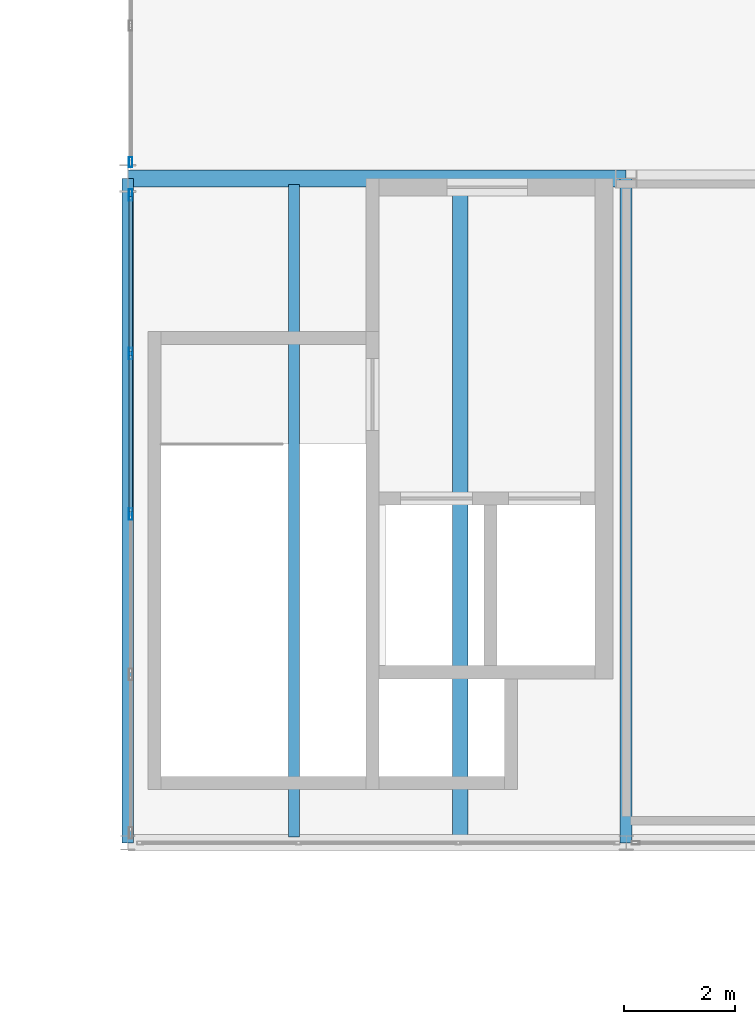
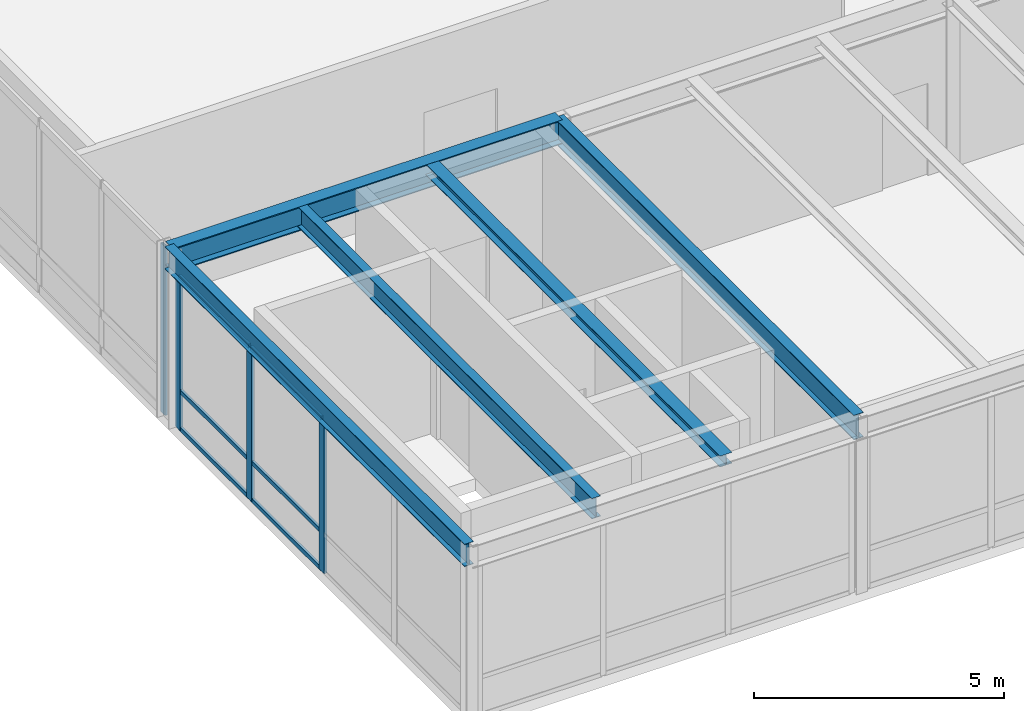
# One storey, part 22 of 67: 10 members, 5 beams, 2 elements without a shape of their own.
"""IFC4 building model written with IfcOpenShell, lengths in metres."""

from ifc_helpers import new_model, si_unit, direction, frame, origin, origin_2d, place, context, subcontext, project, spatial, hollow_rectangle, i_section, extrude, material, layer, layer_set, material_profile, profile_set, type_object, element, aggregate, save


model = new_model("IFC4")

# Units and contexts
model_context = context("Model", 3, precision=1e-05, world=origin(), true_north=direction((0.0, 1.0)))
body_context = subcontext(model_context, "Body", "Model", "MODEL_VIEW")
ifc_project = project(units=[si_unit("LENGTHUNIT", "METRE"), si_unit("AREAUNIT", "SQUARE_METRE"), si_unit("VOLUMEUNIT", "CUBIC_METRE"), si_unit("PLANEANGLEUNIT", "RADIAN"), si_unit("MASSUNIT", "GRAM", prefix="KILO")], contexts=[model_context])

# Site, building, storey
site_placement = place(None, origin())
site = spatial("IfcSite", under=ifc_project, at=site_placement, CompositionType="ELEMENT")
building_placement = place(site_placement, origin())
building = spatial("IfcBuilding", under=site, at=building_placement, Name="Montelvaro Courts of Justice", CompositionType="ELEMENT")
storey_placement = place(building_placement, frame((0.0, 0.0, 18.89990234375)))
storey = spatial("IfcBuildingStorey", under=building, at=storey_placement, Name="L04", CompositionType="ELEMENT", Elevation=18.89990234375)

# Beams
ifc_material_1 = material(Name="Steel S355", Category="steel")
ifc_material_profile_1 = material_profile(ifc_material_1, i_section(OverallWidth=0.280029296875, OverallDepth=0.27001953125, WebThickness=0.008056640625, FlangeThickness=0.012939453125, at=origin_2d()), Name="HEA 280")
ifc_profile_set_1 = profile_set([ifc_material_profile_1], Name="Steel S355")
beam_type_1 = type_object("IfcBeamType", Name="Beam_HEA280", PredefinedType="BEAM", material=ifc_profile_set_1)
beam_1_placement = place(storey_placement, frame((105.0, 66.110107421875, 4.1650390625), z_axis=(0.0, 1.0, 0.0), x_axis=(-1.0, 0.0, 0.0)))
element("IfcBeam", 1, at=beam_1_placement, inside=storey, type_object=beam_type_1, Name="Beam B-14 L04", PredefinedType="BEAM", context=body_context, shape_type="SweptSolid", body=[
    extrude(i_section(OverallWidth=0.280029296875, OverallDepth=0.27001953125, WebThickness=0.008056640625, FlangeThickness=0.012939453125, at=origin_2d()), origin(), (0.0, 0.0, 1.0), 11.77978515625),
])
ifc_material_profile_2 = material_profile(ifc_material_1, i_section(OverallWidth=0.300048828125, OverallDepth=0.590087890625, WebThickness=0.012939453125, FlangeThickness=0.02490234375, at=origin_2d()), Name="HEA 600")
ifc_profile_set_2 = profile_set([ifc_material_profile_2], Name="Steel S355")
beam_type_2 = type_object("IfcBeamType", Name="Beam_HEA600", PredefinedType="USERDEFINED", material=ifc_profile_set_2)
beam_2_placement = place(storey_placement, frame((99.0, 78.0, 4.005126953125), z_axis=(1.0, 0.0, 0.0), x_axis=(0.0, 1.0, 0.0)))
element("IfcBeam", 2, at=beam_2_placement, inside=storey, type_object=beam_type_2, Name="Beam B-21 L04", ObjectType="GIRDER", PredefinedType="USERDEFINED", context=body_context, shape_type="SweptSolid", body=[
    extrude(i_section(OverallWidth=0.300048828125, OverallDepth=0.590087890625, WebThickness=0.012939453125, FlangeThickness=0.02490234375, at=origin_2d()), origin(), (0.0, 0.0, 1.0), 9.0),
])
ifc_material_profile_3 = material_profile(ifc_material_1, i_section(OverallWidth=0.199951171875, OverallDepth=0.5, WebThickness=0.01025390625, FlangeThickness=0.01611328125, at=origin_2d()), Name="IPE 500")
ifc_profile_set_3 = profile_set([ifc_material_profile_3], Name="Steel S355")
beam_type_3 = type_object("IfcBeamType", Name="Beam_IPE500", PredefinedType="BEAM", material=ifc_profile_set_3)
beam_3_placement = place(storey_placement, frame((102.0, 66.110107421875, 4.050048828125), z_axis=(0.0, 1.0, 0.0), x_axis=(-1.0, 0.0, 0.0)))
element("IfcBeam", 3, at=beam_3_placement, inside=storey, type_object=beam_type_3, Name="Beam B-10 L04", PredefinedType="BEAM", context=body_context, shape_type="SweptSolid", body=[
    extrude(i_section(OverallWidth=0.199951171875, OverallDepth=0.5, WebThickness=0.01025390625, FlangeThickness=0.01611328125, at=origin_2d()), origin(), (0.0, 0.0, 1.0), 11.77978515625),
])
ifc_material_profile_4 = material_profile(ifc_material_1, i_section(OverallWidth=0.2099609375, OverallDepth=0.550048828125, WebThickness=0.010986328125, FlangeThickness=0.01708984375, at=origin_2d()), Name="IPE 550")
ifc_profile_set_4 = profile_set([ifc_material_profile_4], Name="Steel S355")
beam_type_4 = type_object("IfcBeamType", Name="Beam_IPE550", PredefinedType="BEAM", material=ifc_profile_set_4)
beam_4_placement = place(storey_placement, frame((99.0, 66.0, 4.025146484375), z_axis=(0.0, 1.0, 0.0), x_axis=(-1.0, 0.0, 0.0)))
element("IfcBeam", 4, at=beam_4_placement, inside=storey, type_object=beam_type_4, Name="Beam B-11 L04", PredefinedType="BEAM", context=body_context, shape_type="SweptSolid", body=[
    extrude(i_section(OverallWidth=0.2099609375, OverallDepth=0.550048828125, WebThickness=0.010986328125, FlangeThickness=0.01708984375, at=origin_2d()), origin(), (0.0, 0.0, 1.0), 12.0),
])
ifc_material_profile_5 = material_profile(ifc_material_1, i_section(OverallWidth=0.219970703125, OverallDepth=0.60009765625, WebThickness=0.011962890625, FlangeThickness=0.01904296875, at=origin_2d()), Name="IPE 600")
ifc_profile_set_5 = profile_set([ifc_material_profile_5], Name="Steel S355")
beam_type_5 = type_object("IfcBeamType", Name="Beam_IPE600", PredefinedType="USERDEFINED", material=ifc_profile_set_5)
beam_5_placement = place(storey_placement, frame((108.0, 66.0, 4.0), z_axis=(0.0, 1.0, 0.0), x_axis=(-1.0, 0.0, 0.0)))
element("IfcBeam", 5, at=beam_5_placement, inside=storey, type_object=beam_type_5, Name="Beam B-12 L04", ObjectType="GIRDER", PredefinedType="USERDEFINED", context=body_context, shape_type="SweptSolid", body=[
    extrude(i_section(OverallWidth=0.219970703125, OverallDepth=0.60009765625, WebThickness=0.011962890625, FlangeThickness=0.01904296875, at=origin_2d()), origin(), (0.0, 0.0, 1.0), 12.0),
])

# Curtain wall, member
ifc_material_2 = material(Name="Anodised aluminium EN AW-6063", Category="aluminium")
ifc_layer_1 = layer(ifc_material_2, 0.159912109375)
ifc_layer_set_1 = layer_set([ifc_layer_1], Name="Anodised aluminium EN AW-6063")
curtain_wall_type_1 = type_object("IfcCurtainWallType", Name="CurtainWall_33_1747x418", PredefinedType="USERDEFINED", material=ifc_layer_set_1)
curtain_wall_1_placement = place(storey_placement, origin())
curtain_wall_1 = element("IfcCurtainWall", 6, at=curtain_wall_1_placement, inside=storey, type_object=curtain_wall_type_1, Name="Curtain Wall CW-33 (L04)", ObjectType="CURTAIN WALL", PredefinedType="USERDEFINED")
ifc_material_profile_6 = material_profile(ifc_material_2, hollow_rectangle(XDim=0.06005859375, YDim=0.179931640625, WallThickness=0.00439453125, at=origin_2d()), Name="ALU-M 60x180")
ifc_profile_set_6 = profile_set([ifc_material_profile_6], Name="Anodised aluminium EN AW-6063")
member_type_1 = type_object("IfcMemberType", Name="CurtainWall_Mullion_60x180", PredefinedType="MULLION", material=ifc_profile_set_6)
member_1_placement = place(storey_placement, frame((99.050048828125, 78.294921875, 0.0), z_axis=(0.0, 0.0, 1.0), x_axis=(1.0, 0.0, 0.0)))
member_1 = element("IfcMember", 7, at=member_1_placement, type_object=member_type_1, Name="CW-33 mullion 8", PredefinedType="MULLION", context=body_context, shape_type="SweptSolid", body=[
    extrude(hollow_rectangle(XDim=0.06005859375, YDim=0.179931640625, WallThickness=0.00439453125, at=origin_2d()), origin(), (0.0, 0.0, 1.0), 4.1201171875),
])
aggregate(curtain_wall_1, [member_1])

# Curtain wall, members
ifc_layer_2 = layer(ifc_material_2, 0.159912109375)
ifc_layer_set_2 = layer_set([ifc_layer_2], Name="Anodised aluminium EN AW-6063")
curtain_wall_type_2 = type_object("IfcCurtainWallType", Name="CurtainWall_19_1159x418", PredefinedType="USERDEFINED", material=ifc_layer_set_2)
curtain_wall_2_placement = place(storey_placement, origin())
curtain_wall_2 = element("IfcCurtainWall", 8, at=curtain_wall_2_placement, inside=storey, type_object=curtain_wall_type_2, Name="Curtain Wall CW-19 (L04)", ObjectType="CURTAIN WALL", PredefinedType="USERDEFINED")
ifc_material_profile_7 = material_profile(ifc_material_2, hollow_rectangle(XDim=0.06494140625, YDim=0.2099609375, WallThickness=0.0048828125, at=origin_2d()), Name="ALU-M 65x210")
ifc_profile_set_7 = profile_set([ifc_material_profile_7], Name="Anodised aluminium EN AW-6063")
member_type_2 = type_object("IfcMemberType", Name="CurtainWall_Mullion_65x210", PredefinedType="MULLION", material=ifc_profile_set_7)
member_2_placement = place(storey_placement, frame((99.050048828125, 77.702392578125, 0.0), z_axis=(0.0, 0.0, 1.0), x_axis=(1.0, 0.0, 0.0)))
member_2 = element("IfcMember", 9, at=member_2_placement, type_object=member_type_2, Name="CW-19 mullion 1", PredefinedType="MULLION", context=body_context, shape_type="SweptSolid", body=[
    extrude(hollow_rectangle(XDim=0.06494140625, YDim=0.2099609375, WallThickness=0.0048828125, at=origin_2d()), origin(), (0.0, 0.0, 1.0), 3.7451171875),
])
member_3_placement = place(storey_placement, frame((99.050048828125, 74.83740234375, 0.0), z_axis=(0.0, 0.0, 1.0), x_axis=(1.0, 0.0, 0.0)))
member_3 = element("IfcMember", 10, at=member_3_placement, type_object=member_type_2, Name="CW-19 mullion 2", PredefinedType="MULLION", context=body_context, shape_type="SweptSolid", body=[
    extrude(hollow_rectangle(XDim=0.06494140625, YDim=0.2099609375, WallThickness=0.0048828125, at=origin_2d()), origin(), (0.0, 0.0, 1.0), 3.7451171875),
])
member_4_placement = place(storey_placement, frame((99.050048828125, 71.93994140625, 0.0), z_axis=(0.0, 0.0, 1.0), x_axis=(1.0, 0.0, 0.0)))
member_4 = element("IfcMember", 11, at=member_4_placement, type_object=member_type_2, Name="CW-19 mullion 3", PredefinedType="MULLION", context=body_context, shape_type="SweptSolid", body=[
    extrude(hollow_rectangle(XDim=0.06494140625, YDim=0.2099609375, WallThickness=0.0048828125, at=origin_2d()), origin(), (0.0, 0.0, 1.0), 3.7451171875),
])
ifc_material_profile_8 = material_profile(ifc_material_2, hollow_rectangle(XDim=0.06005859375, YDim=0.10009765625, WallThickness=0.00341796875, at=origin_2d()), Name="ALU-T 60x100")
ifc_profile_set_8 = profile_set([ifc_material_profile_8], Name="Anodised aluminium EN AW-6063")
member_type_3 = type_object("IfcMemberType", Name="CurtainWall_Transom_60x100", PredefinedType="USERDEFINED", material=ifc_profile_set_8)
member_5_placement = place(storey_placement, frame((99.050048828125, 77.669921875, 0.030029296875), z_axis=(0.0, -1.0, 0.0), x_axis=(1.0, 0.0, 0.0)))
member_5 = element("IfcMember", 12, at=member_5_placement, type_object=member_type_3, Name="CW-19 transom 1.1", ObjectType="TRANSOM", PredefinedType="USERDEFINED", context=body_context, shape_type="SweptSolid", body=[
    extrude(hollow_rectangle(XDim=0.06005859375, YDim=0.10009765625, WallThickness=0.00341796875, at=origin_2d()), origin(), (0.0, 0.0, 1.0), 2.7998046875),
])
member_6_placement = place(storey_placement, frame((99.050048828125, 77.669921875, 0.9501953125), z_axis=(0.0, -1.0, 0.0), x_axis=(1.0, 0.0, 0.0)))
member_6 = element("IfcMember", 13, at=member_6_placement, type_object=member_type_3, Name="CW-19 transom 1.2", ObjectType="TRANSOM", PredefinedType="USERDEFINED", context=body_context, shape_type="SweptSolid", body=[
    extrude(hollow_rectangle(XDim=0.06005859375, YDim=0.10009765625, WallThickness=0.00341796875, at=origin_2d()), origin(), (0.0, 0.0, 1.0), 2.7998046875),
])
member_7_placement = place(storey_placement, frame((99.050048828125, 77.669921875, 3.715087890625), z_axis=(0.0, -1.0, 0.0), x_axis=(1.0, 0.0, 0.0)))
member_7 = element("IfcMember", 14, at=member_7_placement, type_object=member_type_3, Name="CW-19 transom 1.3", ObjectType="TRANSOM", PredefinedType="USERDEFINED", context=body_context, shape_type="SweptSolid", body=[
    extrude(hollow_rectangle(XDim=0.06005859375, YDim=0.10009765625, WallThickness=0.00341796875, at=origin_2d()), origin(), (0.0, 0.0, 1.0), 2.7998046875),
])
member_8_placement = place(storey_placement, frame((99.050048828125, 74.804931640625, 0.030029296875), z_axis=(0.0, -1.0, 0.0), x_axis=(1.0, 0.0, 0.0)))
member_8 = element("IfcMember", 15, at=member_8_placement, type_object=member_type_3, Name="CW-19 transom 2.1", ObjectType="TRANSOM", PredefinedType="USERDEFINED", context=body_context, shape_type="SweptSolid", body=[
    extrude(hollow_rectangle(XDim=0.06005859375, YDim=0.10009765625, WallThickness=0.00341796875, at=origin_2d()), origin(), (0.0, 0.0, 1.0), 2.83251953125),
])
member_9_placement = place(storey_placement, frame((99.050048828125, 74.804931640625, 0.9501953125), z_axis=(0.0, -1.0, 0.0), x_axis=(1.0, 0.0, 0.0)))
member_9 = element("IfcMember", 16, at=member_9_placement, type_object=member_type_3, Name="CW-19 transom 2.2", ObjectType="TRANSOM", PredefinedType="USERDEFINED", context=body_context, shape_type="SweptSolid", body=[
    extrude(hollow_rectangle(XDim=0.06005859375, YDim=0.10009765625, WallThickness=0.00341796875, at=origin_2d()), origin(), (0.0, 0.0, 1.0), 2.83251953125),
])
member_10_placement = place(storey_placement, frame((99.050048828125, 74.804931640625, 3.715087890625), z_axis=(0.0, -1.0, 0.0), x_axis=(1.0, 0.0, 0.0)))
member_10 = element("IfcMember", 17, at=member_10_placement, type_object=member_type_3, Name="CW-19 transom 2.3", ObjectType="TRANSOM", PredefinedType="USERDEFINED", context=body_context, shape_type="SweptSolid", body=[
    extrude(hollow_rectangle(XDim=0.06005859375, YDim=0.10009765625, WallThickness=0.00341796875, at=origin_2d()), origin(), (0.0, 0.0, 1.0), 2.83251953125),
])
aggregate(curtain_wall_2, [member_2, member_3, member_4, member_5, member_6, member_7, member_8, member_9, member_10])

save(model, "model.ifc")
